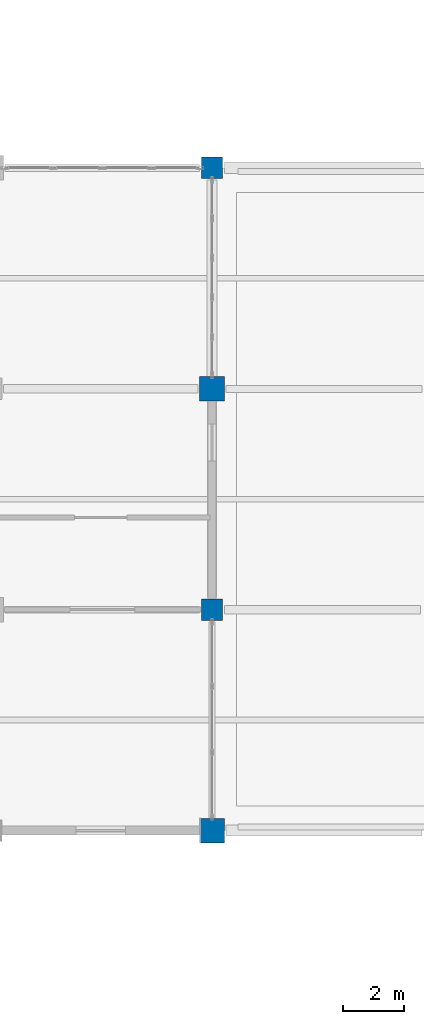
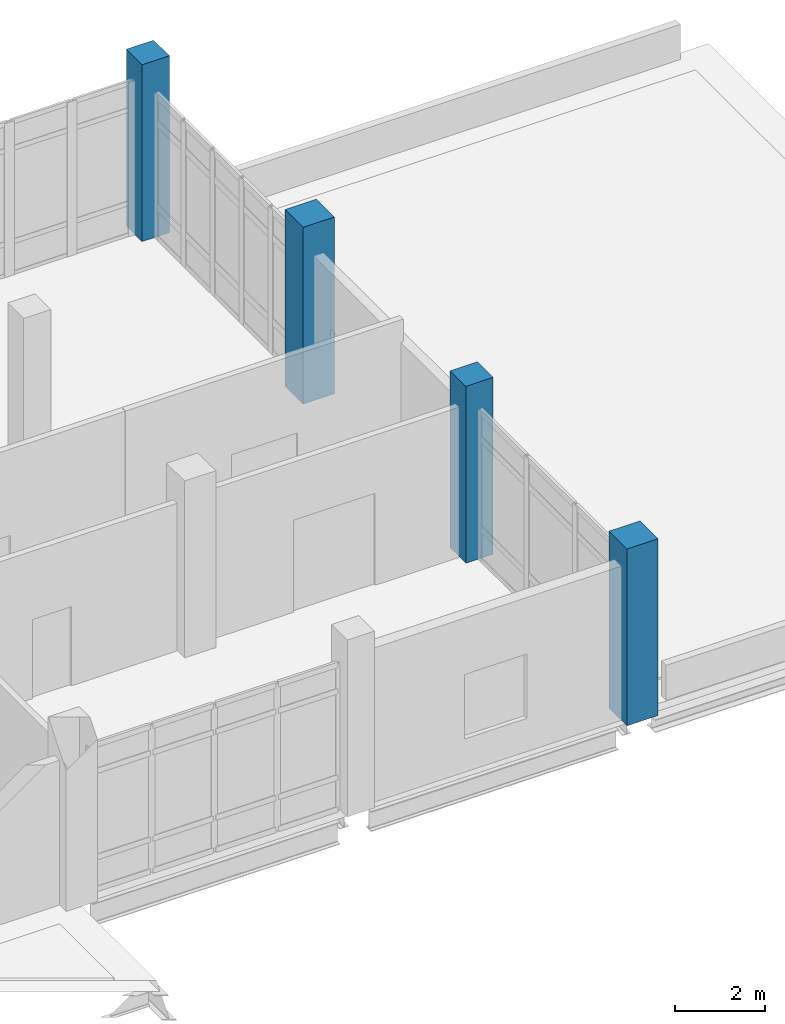
# One storey, part 15 of 153: 4 columns.
"""IFC4 building model written with IfcOpenShell, lengths in metres."""

from ifc_helpers import new_model, si_unit, direction, frame, origin, origin_2d, place, context, subcontext, project, spatial, rectangle, extrude, material, material_profile, profile_set, type_object, element, save


model = new_model("IFC4")

# Units and contexts
model_context = context("Model", 3, precision=1e-05, world=origin(), true_north=direction((0.0, 1.0)))
body_context = subcontext(model_context, "Body", "Model", "MODEL_VIEW")
ifc_project = project(units=[si_unit("LENGTHUNIT", "METRE"), si_unit("AREAUNIT", "SQUARE_METRE"), si_unit("VOLUMEUNIT", "CUBIC_METRE"), si_unit("PLANEANGLEUNIT", "RADIAN"), si_unit("MASSUNIT", "GRAM", prefix="KILO")], contexts=[model_context])

# Site, building, storey
site_placement = place(None, origin())
site = spatial("IfcSite", under=ifc_project, at=site_placement, CompositionType="ELEMENT")
building_placement = place(site_placement, origin())
building = spatial("IfcBuilding", under=site, at=building_placement, Name="Calvrana Isthmian Art Gallery", CompositionType="ELEMENT")
storey_placement = place(building_placement, frame((0.0, 0.0, 10.199951171875)))
storey = spatial("IfcBuildingStorey", under=building, at=storey_placement, Name="L02", CompositionType="ELEMENT", Elevation=10.199951171875)

# Columns
ifc_material = material(Name="Concrete C40/50", Category="concrete")
ifc_material_profile_1 = material_profile(ifc_material, rectangle(XDim=0.699951171875, YDim=0.699951171875, at=origin_2d()), Name="RC700X700")
ifc_profile_set_1 = profile_set([ifc_material_profile_1], Name="Concrete C40/50")
column_type_1 = type_object("IfcColumnType", Name="COL-RC-RC700X700", PredefinedType="COLUMN", material=ifc_profile_set_1)
for number, where, z_axis, x_axis, name in (
    (1, (134.39990234375, 84.0, 0.0), (0.0, 0.0, 1.0), (1.0, 0.0, 0.0), "Column 18/L L02"),
    (2, (134.39990234375, 98.39990234375, 0.0), (0.0, 0.0, 1.0), (1.0, 0.0, 0.0), "Column 18/N L02"),
):
    element("IfcColumn", number, at=place(storey_placement, frame(where, z_axis=z_axis, x_axis=x_axis)), inside=storey, type_object=column_type_1, Name=name, PredefinedType="COLUMN", context=body_context, shape_type="SweptSolid", body=[
        extrude(rectangle(XDim=0.699951171875, YDim=0.699951171875, at=origin_2d()), origin(), (0.0, 0.0, 1.0), 4.800048828125),
    ])
ifc_material_profile_2 = material_profile(ifc_material, rectangle(XDim=0.800048828125, YDim=0.800048828125, at=origin_2d()), Name="RC800X800")
ifc_profile_set_2 = profile_set([ifc_material_profile_2], Name="Concrete C40/50")
column_type_2 = type_object("IfcColumnType", Name="COL-RC-RC800X800", PredefinedType="COLUMN", material=ifc_profile_set_2)
for number, where, z_axis, x_axis, name in (
    (3, (134.39990234375, 76.800048828125, 0.0), (0.0, 0.0, 1.0), (1.0, 0.0, 0.0), "Column 18/K L02"),
    (4, (134.39990234375, 91.199951171875, 0.0), (0.0, 0.0, 1.0), (1.0, 0.0, 0.0), "Column 18/M L02"),
):
    element("IfcColumn", number, at=place(storey_placement, frame(where, z_axis=z_axis, x_axis=x_axis)), inside=storey, type_object=column_type_2, Name=name, PredefinedType="COLUMN", context=body_context, shape_type="SweptSolid", body=[
        extrude(rectangle(XDim=0.800048828125, YDim=0.800048828125, at=origin_2d()), origin(), (0.0, 0.0, 1.0), 4.800048828125),
    ])

save(model, "model.ifc")
